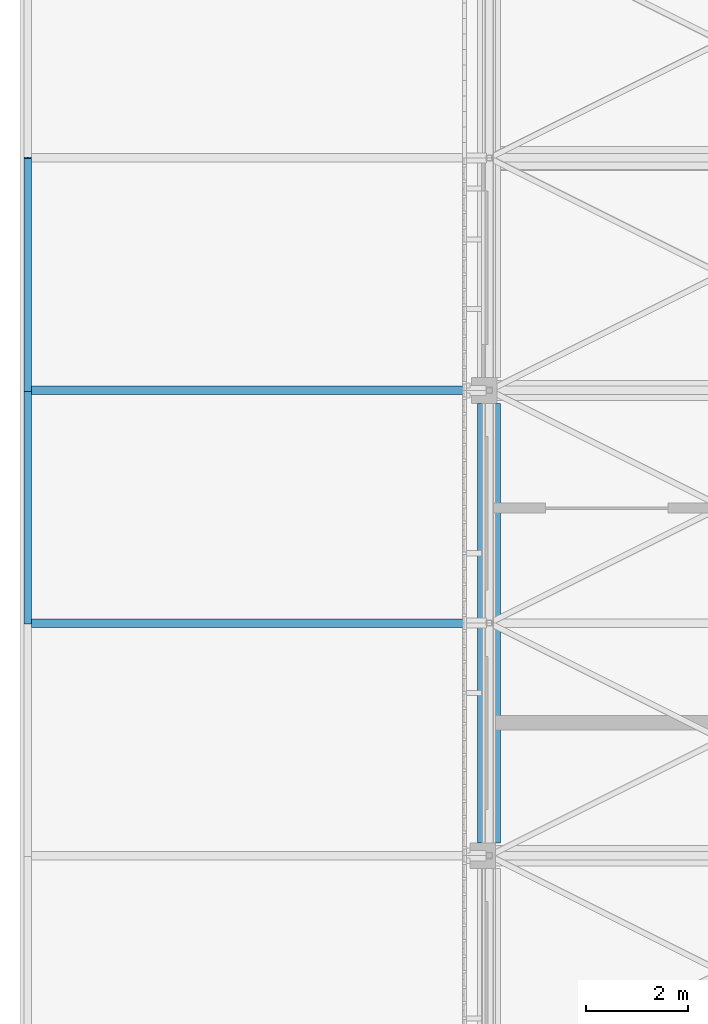
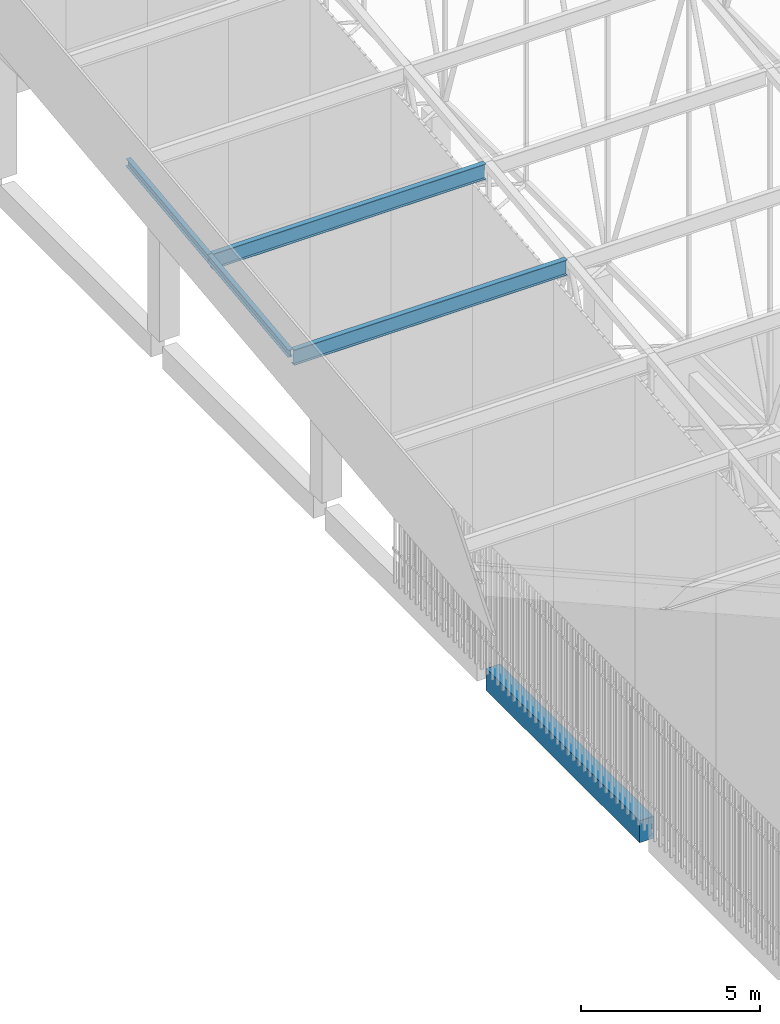
# One storey, part 50 of 500: 4 members, 1 beam.
"""IFC4 building model written with IfcOpenShell, lengths in metres."""

from ifc_helpers import new_model, si_unit, direction, frame, origin, origin_2d, place, context, subcontext, project, spatial, rectangle, i_section, extrude, material, material_profile, profile_set, type_object, element, save


model = new_model("IFC4")

# Units and contexts
model_context = context("Model", 3, precision=1e-05, world=origin(), true_north=direction((0.0, 1.0)))
body_context = subcontext(model_context, "Body", "Model", "MODEL_VIEW")
ifc_project = project(units=[si_unit("LENGTHUNIT", "METRE"), si_unit("AREAUNIT", "SQUARE_METRE"), si_unit("VOLUMEUNIT", "CUBIC_METRE"), si_unit("PLANEANGLEUNIT", "RADIAN"), si_unit("MASSUNIT", "GRAM", prefix="KILO")], contexts=[model_context])

# Site, building, storey
site_placement = place(None, origin())
site = spatial("IfcSite", under=ifc_project, at=site_placement, CompositionType="ELEMENT")
building_placement = place(site_placement, origin())
building = spatial("IfcBuilding", under=site, at=building_placement, Name="Shirokan Park Arena", CompositionType="ELEMENT")
storey_placement = place(building_placement, frame((0.0, 0.0, 29.1201171875)))
storey = spatial("IfcBuildingStorey", under=building, at=storey_placement, Name="L06", CompositionType="ELEMENT", Elevation=29.1201171875)

# Members
ifc_material_1 = material(Name="Steel ASTM A992", Category="steel")
ifc_material_profile_1 = material_profile(ifc_material_1, i_section(OverallWidth=0.166015625, OverallDepth=0.528076171875, WebThickness=0.009765625, FlangeThickness=0.013671875, at=origin_2d()), Name="W530X74")
ifc_profile_set_1 = profile_set([ifc_material_profile_1], Name="Steel ASTM A992")
member_type_1 = type_object("IfcMemberType", Name="Purlin W530X74", PredefinedType="PURLIN", material=ifc_profile_set_1)
for number, where, z_axis, x_axis, name in (
    (1, (-8.951904296875, 31.85009765625, 16.1259765625), (1.0, 0.0, 0.0), (0.0, 1.0, 0.0), "Eave purlin west 10"),
    (2, (-8.951904296875, 36.39990234375, 16.64599609375), (1.0, 0.0, 0.0), (0.0, 1.0, 0.0), "Eave purlin west 11"),
):
    element("IfcMember", number, at=place(storey_placement, frame(where, z_axis=z_axis, x_axis=x_axis)), inside=storey, type_object=member_type_1, Name=name, PredefinedType="PURLIN", context=body_context, shape_type="SweptSolid", body=[
        extrude(i_section(OverallWidth=0.166015625, OverallDepth=0.528076171875, WebThickness=0.009765625, FlangeThickness=0.013671875, at=origin_2d()), origin(), (0.0, 0.0, 1.0), 8.824951171875),
    ])

# Beam
ifc_material_2 = material(Name="Concrete C35", Category="concrete")
ifc_material_profile_2 = material_profile(ifc_material_2, rectangle(XDim=0.449951171875, YDim=0.75, at=origin_2d()), Name="450x750")
ifc_profile_set_2 = profile_set([ifc_material_profile_2], Name="Concrete C35")
beam_type = type_object("IfcBeamType", Name="RC girder 450x750", PredefinedType="BEAM", material=ifc_profile_set_2)
beam_placement = place(storey_placement, frame((0.0, 27.550048828125, -0.5751953125), z_axis=(0.0, 1.0, 0.0), x_axis=(-1.0, 0.0, 0.0)))
element("IfcBeam", 3, at=beam_placement, inside=storey, type_object=beam_type, Name="Girder 1D-1E L06", PredefinedType="BEAM", context=body_context, shape_type="SweptSolid", body=[
    extrude(rectangle(XDim=0.449951171875, YDim=0.75, at=origin_2d()), origin(), (0.0, 0.0, 1.0), 8.599853515625),
])

# Members
ifc_material_profile_3 = material_profile(ifc_material_1, i_section(OverallWidth=0.14794921875, OverallDepth=0.26708984375, WebThickness=0.007568359375, FlangeThickness=0.012939453125, at=origin_2d()), Name="W250X44.8")
ifc_profile_set_3 = profile_set([ifc_material_profile_3], Name="Steel ASTM A992")
member_type_2 = type_object("IfcMemberType", Name="Roof edge beam W250X44.8", PredefinedType="USERDEFINED", material=ifc_profile_set_3)
member_1_placement = place(storey_placement, frame((-9.02587890625, 31.85009765625, 16.25634765625), z_axis=(0.0, 0.993531641592, 0.11355561261), x_axis=(-1.0, 0.0, 0.0)))
element("IfcMember", 4, at=member_1_placement, inside=storey, type_object=member_type_2, Name="Roof edge beam W 10", ObjectType="ROOF EDGE BEAM", PredefinedType="USERDEFINED", context=body_context, shape_type="SweptSolid", body=[
    extrude(i_section(OverallWidth=0.14794921875, OverallDepth=0.26708984375, WebThickness=0.007568359375, FlangeThickness=0.012939453125, at=origin_2d()), origin(), (0.0, 0.0, 1.0), 4.579345703125),
])
member_2_placement = place(storey_placement, frame((-9.02587890625, 36.39990234375, 16.7763671875), z_axis=(0.0, 0.993532328996, 0.113549598152), x_axis=(-1.0, 0.0, 0.0)))
element("IfcMember", 5, at=member_2_placement, inside=storey, type_object=member_type_2, Name="Roof edge beam W 11", ObjectType="ROOF EDGE BEAM", PredefinedType="USERDEFINED", context=body_context, shape_type="SweptSolid", body=[
    extrude(i_section(OverallWidth=0.14794921875, OverallDepth=0.26708984375, WebThickness=0.007568359375, FlangeThickness=0.012939453125, at=origin_2d()), origin(), (0.0, 0.0, 1.0), 4.57958984375),
])

save(model, "model.ifc")
